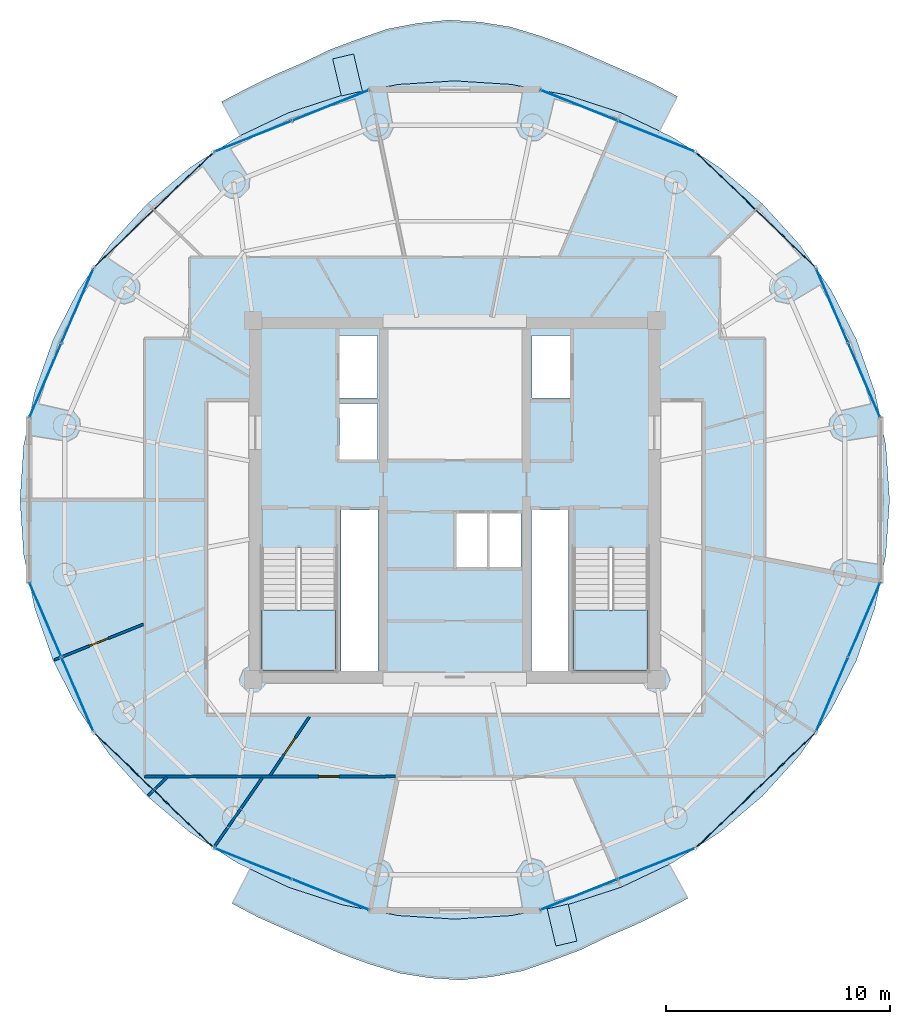
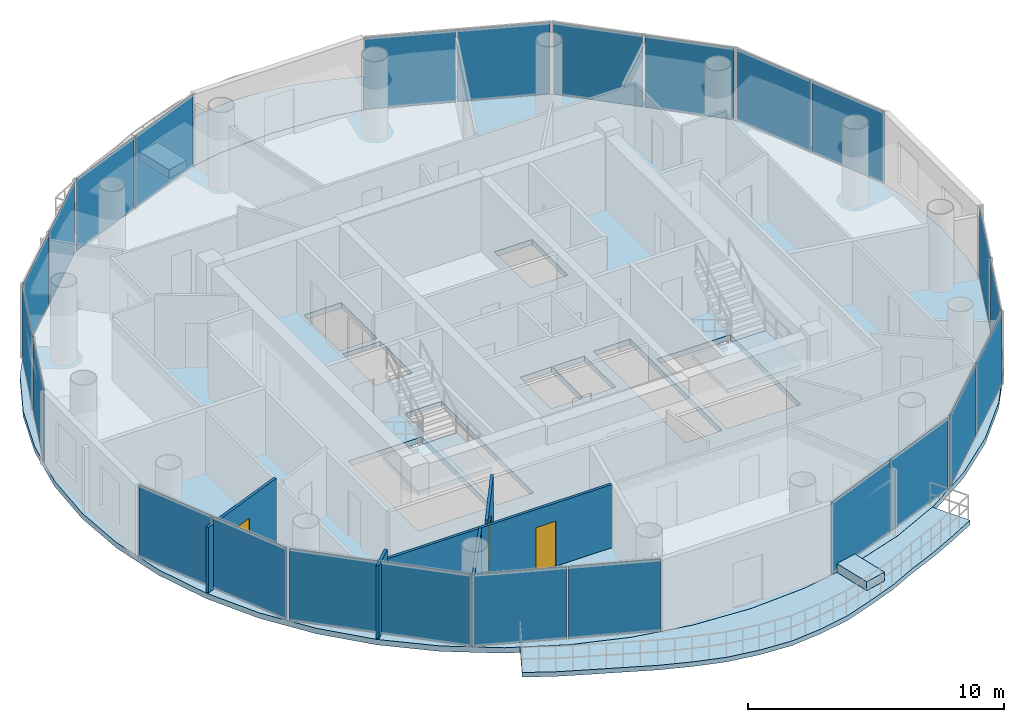
# One storey, part 16 of 23: 24 plates, 7 slabs, 5 walls, 3 doors, 3 openings, 14 elements without a shape of their own.
"""IFC4 building model written with IfcOpenShell, lengths in metres."""

from ifc_helpers import new_model, si_unit, direction, frame, frame_2d, origin, origin_2d, place, context, subcontext, project, spatial, polyline, rectangle, outline, extrude, source, transform, mapped, material, layer, layer_set, type_object, element, fill, aggregate, save


model = new_model("IFC4")

# Units and contexts
model_context = context("Model", 3, precision=1e-05, world=origin(), true_north=direction((-0.2419218956, 0.970295726276)))
body_context = subcontext(model_context, "Body", "Model", "MODEL_VIEW")
ifc_project = project(units=[si_unit("LENGTHUNIT", "METRE"), si_unit("AREAUNIT", "SQUARE_METRE"), si_unit("VOLUMEUNIT", "CUBIC_METRE"), si_unit("PLANEANGLEUNIT", "RADIAN"), si_unit("MASSUNIT", "GRAM", prefix="KILO")], contexts=[model_context])

# Site, building, storey
site_placement = place(None, origin())
site = spatial("IfcSite", under=ifc_project, at=site_placement, CompositionType="ELEMENT")
building_placement = place(site_placement, origin())
building = spatial("IfcBuilding", under=site, at=building_placement, Name="Cobrevalo Terracotta Tower", CompositionType="ELEMENT")
storey_placement = place(building_placement, frame((0.0, 0.0, 263.199951171875)))
storey = spatial("IfcBuildingStorey", under=building, at=storey_placement, Name="L69", CompositionType="ELEMENT", Elevation=263.199951171875)

# Stair, slab
ifc_material_1 = material(Name="Concrete C50", Category="concrete")
stair_type = type_object("IfcStairType", Name="Core protected escape dogleg stair 1600", PredefinedType="HALF_TURN_STAIR", material=ifc_material_1)
stair_1_placement = place(storey_placement, origin())
stair_1 = element("IfcStair", 1, at=stair_1_placement, inside=storey, type_object=stair_type, Name="L69 Protected exit stair ST-1", PredefinedType="HALF_TURN_STAIR")
ifc_layer_1 = layer(ifc_material_1, 0.199951171875)
ifc_layer_set_1 = layer_set([ifc_layer_1], Name="Concrete C50")
slab_type_1 = type_object("IfcSlabType", Name="Reinforced Concrete Stair Landing 200", PredefinedType="LANDING", material=ifc_layer_set_1)
slab_1_placement = place(storey_placement, frame((0.0, 0.0, 1.675048828125)))
slab_1 = element("IfcSlab", 2, at=slab_1_placement, type_object=slab_type_1, Name="ST-1 landing 1", PredefinedType="LANDING", context=body_context, shape_type="SweptSolid", body=[
    extrude(outline(polyline([(29.375, 21.89990234375), (29.375, 19.175048828125), (32.695068359375, 19.175048828125), (32.695068359375, 21.89990234375), (29.375, 21.89990234375)])), origin(), (0.0, 0.0, 1.0), 0.199951171875),
])
aggregate(stair_1, [slab_1])

stair_2_placement = place(storey_placement, origin())
stair_2 = element("IfcStair", 3, at=stair_2_placement, inside=storey, type_object=stair_type, Name="L69 Protected exit stair ST-2", PredefinedType="HALF_TURN_STAIR")
slab_2_placement = place(storey_placement, frame((0.0, 0.0, 1.675048828125)))
slab_2 = element("IfcSlab", 4, at=slab_2_placement, type_object=slab_type_1, Name="ST-2 landing 1", PredefinedType="LANDING", context=body_context, shape_type="SweptSolid", body=[
    extrude(outline(polyline([(43.304931640625, 21.89990234375), (43.304931640625, 19.175048828125), (46.625, 19.175048828125), (46.625, 21.89990234375), (43.304931640625, 21.89990234375)])), origin(), (0.0, 0.0, 1.0), 0.199951171875),
])
aggregate(stair_2, [slab_2])

# Slabs
ifc_material_2 = material(Name="Concrete C45", Category="concrete")
ifc_layer_2 = layer(ifc_material_2, 0.219970703125)
ifc_layer_set_2 = layer_set([ifc_layer_2], Name="Concrete C45")
slab_type_2 = type_object("IfcSlabType", Name="Spiralling cantilevered balcony lobe slab 220 mm", PredefinedType="FLOOR", material=ifc_layer_set_2)
slab_3_placement = place(storey_placement, frame((0.0, 0.0, -0.219970703125)))
element("IfcSlab", 5, at=slab_3_placement, inside=storey, type_object=slab_type_2, Name="L69 spiralling arc balcony slab lobe 1", PredefinedType="FLOOR", context=body_context, shape_type="SweptSolid", body=[
    extrude(outline(polyline([(47.936279296875, 44.805419921875), (46.766845703125, 45.423095703125), (45.556884765625, 45.96044921875), (44.330322265625, 46.494873046875), (43.088134765625, 47.0400390625), (41.798828125, 47.509765625), (40.473876953125, 47.91015625), (39.1064453125, 48.12939453125), (37.723876953125, 48.2177734375), (36.34375, 48.073486328125), (34.98583984375, 47.81494140625), (33.67626953125, 47.359375), (32.397705078125, 46.8798828125), (31.176513671875, 46.287353515625), (29.95166015625, 45.763916015625), (28.763427734375, 45.181396484375), (27.5927734375, 44.57080078125), (28.42236328125, 43.05517578125), (30.5751953125, 44.078369140625), (32.978271484375, 44.86474609375), (35.467529296875, 45.342041015625), (38.0, 45.501953125), (40.532470703125, 45.342041015625), (43.021728515625, 44.86474609375), (45.4248046875, 44.078369140625), (47.140625, 43.2626953125), (47.936279296875, 44.805419921875)])), origin(), (0.0, 0.0, 1.0), 0.219970703125),
])
slab_4_placement = place(storey_placement, frame((0.0, 0.0, -0.219970703125)))
element("IfcSlab", 6, at=slab_4_placement, inside=storey, type_object=slab_type_2, Name="L69 spiralling arc balcony slab lobe 2", PredefinedType="FLOOR", context=body_context, shape_type="SweptSolid", body=[
    extrude(outline(polyline([(28.063720703125, 8.794677734375), (29.233154296875, 8.177001953125), (30.443115234375, 7.6396484375), (31.669677734375, 7.10498046875), (32.911865234375, 6.56005859375), (34.201171875, 6.09033203125), (35.526123046875, 5.68994140625), (36.8935546875, 5.470458984375), (38.276123046875, 5.38232421875), (39.65625, 5.526611328125), (41.01416015625, 5.78515625), (42.32373046875, 6.24072265625), (43.602294921875, 6.72021484375), (44.823486328125, 7.312744140625), (46.04833984375, 7.836181640625), (47.236572265625, 8.418701171875), (48.4072265625, 9.029296875), (47.57763671875, 10.544921875), (45.4248046875, 9.521484375), (43.021728515625, 8.7353515625), (40.532470703125, 8.258056640625), (38.0, 8.097900390625), (35.467529296875, 8.258056640625), (32.978271484375, 8.7353515625), (30.5751953125, 9.521484375), (28.859375, 10.337158203125), (28.063720703125, 8.794677734375)])), origin(), (0.0, 0.0, 1.0), 0.219970703125),
])
ifc_material_3 = material(Name="Precast concrete C45", Category="concrete")
ifc_layer_3 = layer(ifc_material_3, 0.419921875)
ifc_layer_set_3 = layer_set([ifc_layer_3], Name="Precast concrete C45")
slab_type_3 = type_object("IfcSlabType", Name="Structural tree planter trough base 420 mm", PredefinedType="USERDEFINED", material=ifc_layer_set_3)
slab_5_placement = place(storey_placement, origin())
element("IfcSlab", 7, at=slab_5_placement, inside=storey, type_object=slab_type_3, Name="L69 structural tree planter trough 1", ObjectType="PLANTER", PredefinedType="USERDEFINED", context=body_context, shape_type="SweptSolid", body=[
    extrude(outline(polyline([(33.875244140625, 45.047607421875), (33.48583984375, 46.702392578125), (32.551513671875, 46.482666015625), (32.940673828125, 44.827880859375), (33.875244140625, 45.047607421875)])), origin(), (0.0, 0.0, 1.0), 0.420166015625),
])
slab_6_placement = place(storey_placement, origin())
element("IfcSlab", 8, at=slab_6_placement, inside=storey, type_object=slab_type_3, Name="L69 structural tree planter trough 2", ObjectType="PLANTER", PredefinedType="USERDEFINED", context=body_context, shape_type="SweptSolid", body=[
    extrude(outline(polyline([(42.124755859375, 8.55224609375), (42.51416015625, 6.8974609375), (43.448486328125, 7.1171875), (43.059326171875, 8.772216796875), (42.124755859375, 8.55224609375)])), origin(), (0.0, 0.0, 1.0), 0.420166015625),
])
ifc_layer_4 = layer(ifc_material_2, 0.260009765625)
ifc_layer_set_4 = layer_set([ifc_layer_4], Name="Concrete C45")
slab_type_4 = type_object("IfcSlabType", Name="Zone Z5 elliptical floor plate 260 mm", PredefinedType="FLOOR", material=ifc_layer_set_4)
slab_7_placement = place(storey_placement, frame((0.0, 0.0, -0.260009765625)))
element("IfcSlab", 9, at=slab_7_placement, inside=storey, type_object=slab_type_4, Name="L69 indoor elliptical floor slab", PredefinedType="FLOOR", context=body_context, shape_type="SweptSolid", body=[
    extrude(outline(polyline([(57.234130859375, 24.359130859375), (56.739013671875, 21.9599609375), (55.92333984375, 19.643798828125), (54.80078125, 17.449951171875), (53.39111328125, 15.416259765625), (51.7177734375, 13.5771484375), (49.81005859375, 11.96435546875), (47.699951171875, 10.605224609375), (45.424072265625, 9.5234375), (43.02099609375, 8.7373046875), (40.5322265625, 8.260009765625), (38.0, 8.10009765625), (35.4677734375, 8.260009765625), (32.97900390625, 8.7373046875), (30.575927734375, 9.5234375), (28.300048828125, 10.605224609375), (26.18994140625, 11.96435546875), (24.2822265625, 13.5771484375), (22.60888671875, 15.416259765625), (21.19921875, 17.449951171875), (20.07666015625, 19.643798828125), (19.260986328125, 21.9599609375), (18.765869140625, 24.359130859375), (18.60009765625, 26.800048828125), (18.765869140625, 29.24072265625), (19.260986328125, 31.639892578125), (20.07666015625, 33.956298828125), (21.19921875, 36.14990234375), (22.60888671875, 38.183837890625), (24.2822265625, 40.02294921875), (26.18994140625, 41.6357421875), (28.300048828125, 42.99462890625), (30.575927734375, 44.07666015625), (32.97900390625, 44.86279296875), (35.4677734375, 45.340087890625), (38.0, 45.5), (40.5322265625, 45.340087890625), (43.02099609375, 44.86279296875), (45.424072265625, 44.07666015625), (47.699951171875, 42.99462890625), (49.81005859375, 41.6357421875), (51.7177734375, 40.02294921875), (53.39111328125, 38.183837890625), (54.80078125, 36.14990234375), (55.92333984375, 33.956298828125), (56.739013671875, 31.639892578125), (57.234130859375, 29.24072265625), (57.39990234375, 26.800048828125), (57.234130859375, 24.359130859375)]), holes=[polyline([(32.695068359375, 19.175048828125), (32.695068359375, 24.659912109375), (29.375, 24.659912109375), (29.375, 19.175048828125), (32.695068359375, 19.175048828125)]), polyline([(46.625, 19.175048828125), (46.625, 24.659912109375), (43.304931640625, 24.659912109375), (43.304931640625, 19.175048828125), (46.625, 19.175048828125)]), polyline([(34.574951171875, 26.360107421875), (32.919921875, 26.360107421875), (32.919921875, 19.175048828125), (34.574951171875, 19.175048828125), (34.574951171875, 26.360107421875)]), polyline([(43.080078125, 26.360107421875), (41.425048828125, 26.360107421875), (41.425048828125, 19.175048828125), (43.080078125, 19.175048828125), (43.080078125, 26.360107421875)]), polyline([(39.469970703125, 26.25), (38.0400390625, 26.25), (38.0400390625, 23.800048828125), (39.469970703125, 23.800048828125), (39.469970703125, 26.25)]), polyline([(40.949951171875, 26.25), (39.52001953125, 26.25), (39.52001953125, 23.800048828125), (40.949951171875, 23.800048828125), (40.949951171875, 26.25)]), polyline([(34.550048828125, 31.10009765625), (32.85009765625, 31.10009765625), (32.85009765625, 28.60009765625), (34.550048828125, 28.60009765625), (34.550048828125, 31.10009765625)]), polyline([(34.550048828125, 31.35009765625), (34.550048828125, 34.14990234375), (32.85009765625, 34.14990234375), (32.85009765625, 31.35009765625), (34.550048828125, 31.35009765625)]), polyline([(43.14990234375, 31.35009765625), (43.14990234375, 34.14990234375), (41.449951171875, 34.14990234375), (41.449951171875, 31.35009765625), (43.14990234375, 31.35009765625)])]), origin(), (0.0, 0.0, 1.0), 0.260009765625),
])

# Curtain wall, plates
ifc_material_4 = material(Name="Anodized aluminium", Category="aluminium")
curtain_wall_type = type_object("IfcCurtainWallType", Name="Upper-tower triple-glazed penthouse curtain wall CW-U3", PredefinedType="NOTDEFINED", material=ifc_material_4)
curtain_wall_1_placement = place(storey_placement, origin())
curtain_wall_1 = element("IfcCurtainWall", 10, at=curtain_wall_1_placement, inside=storey, type_object=curtain_wall_type, Name="L69 curtain wall CW-L69-S02", PredefinedType="NOTDEFINED")
ifc_material_5 = material(Name="Solar-control low-E double glazing", Category="glass")
ifc_layer_5 = layer(ifc_material_5, 0.028076171875)
ifc_layer_set_5 = layer_set([ifc_layer_5], Name="Solar-control low-E double glazing")
plate_type = type_object("IfcPlateType", Name="Tower solar-control low-E vision glass panel 28 mm", PredefinedType="CURTAIN_PANEL", material=ifc_layer_set_5)
shared_shape_1 = source(origin(), body_context, "Body", "SweptSolid", [
    extrude(rectangle(XDim=3.59130859375, YDim=0.035888671875, at=origin_2d()), origin(), (0.0, 0.0, 1.0), 3.409912109375),
])
plate_1_placement = place(storey_placement, frame((52.755126953125, 38.47412109375, 0.0400390625), z_axis=(0.0, 0.0, 1.0), x_axis=(-0.719996603293, 0.693977586992, 0.0)))
plate_1 = element("IfcPlate", 11, at=plate_1_placement, type_object=plate_type, Name="CW-L69-S02 glazing panel B01", PredefinedType="CURTAIN_PANEL", context=body_context, shape_type="MappedRepresentation", body=[
    mapped(shared_shape_1, transform((0.0, 0.0, 0.0), scale=1.0)),
])
plate_2_placement = place(storey_placement, frame((50.11181640625, 41.02197265625, 0.0400390625), z_axis=(0.0, 0.0, 1.0), x_axis=(-0.719996603293, 0.693977586992, 0.0)))
plate_2 = element("IfcPlate", 12, at=plate_2_placement, type_object=plate_type, Name="CW-L69-S02 glazing panel B02", PredefinedType="CURTAIN_PANEL", context=body_context, shape_type="MappedRepresentation", body=[
    mapped(shared_shape_1, transform((0.0, 0.0, 0.0), scale=1.0)),
])
aggregate(curtain_wall_1, [plate_1, plate_2])

curtain_wall_2_placement = place(storey_placement, origin())
curtain_wall_2 = element("IfcCurtainWall", 13, at=curtain_wall_2_placement, inside=storey, type_object=curtain_wall_type, Name="L69 curtain wall CW-L69-S06", PredefinedType="NOTDEFINED")
plate_3_placement = place(storey_placement, frame((25.88818359375, 41.02197265625, 0.0400390625), z_axis=(0.0, 0.0, 1.0), x_axis=(-0.719996603293, -0.693977586992, 0.0)))
plate_3 = element("IfcPlate", 14, at=plate_3_placement, type_object=plate_type, Name="CW-L69-S06 glazing panel B01", PredefinedType="CURTAIN_PANEL", context=body_context, shape_type="MappedRepresentation", body=[
    mapped(shared_shape_1, transform((0.0, 0.0, 0.0), scale=1.0)),
])
plate_4_placement = place(storey_placement, frame((23.244873046875, 38.47412109375, 0.0400390625), z_axis=(0.0, 0.0, 1.0), x_axis=(-0.719996603293, -0.693977586992, 0.0)))
plate_4 = element("IfcPlate", 15, at=plate_4_placement, type_object=plate_type, Name="CW-L69-S06 glazing panel B02", PredefinedType="CURTAIN_PANEL", context=body_context, shape_type="MappedRepresentation", body=[
    mapped(shared_shape_1, transform((0.0, 0.0, 0.0), scale=1.0)),
])
aggregate(curtain_wall_2, [plate_3, plate_4])

curtain_wall_3_placement = place(storey_placement, origin())
curtain_wall_3 = element("IfcCurtainWall", 16, at=curtain_wall_3_placement, inside=storey, type_object=curtain_wall_type, Name="L69 curtain wall CW-L69-S10", PredefinedType="NOTDEFINED")
plate_5_placement = place(storey_placement, frame((23.244873046875, 15.1259765625, 0.0400390625), z_axis=(0.0, 0.0, 1.0), x_axis=(0.719996603293, -0.693977586992, 0.0)))
plate_5 = element("IfcPlate", 17, at=plate_5_placement, type_object=plate_type, Name="CW-L69-S10 glazing panel B01", PredefinedType="CURTAIN_PANEL", context=body_context, shape_type="MappedRepresentation", body=[
    mapped(shared_shape_1, transform((0.0, 0.0, 0.0), scale=1.0)),
])
plate_6_placement = place(storey_placement, frame((25.88818359375, 12.578125, 0.0400390625), z_axis=(0.0, 0.0, 1.0), x_axis=(0.719996603293, -0.693977586992, 0.0)))
plate_6 = element("IfcPlate", 18, at=plate_6_placement, type_object=plate_type, Name="CW-L69-S10 glazing panel B02", PredefinedType="CURTAIN_PANEL", context=body_context, shape_type="MappedRepresentation", body=[
    mapped(shared_shape_1, transform((0.0, 0.0, 0.0), scale=1.0)),
])
aggregate(curtain_wall_3, [plate_5, plate_6])

curtain_wall_4_placement = place(storey_placement, origin())
curtain_wall_4 = element("IfcCurtainWall", 19, at=curtain_wall_4_placement, inside=storey, type_object=curtain_wall_type, Name="L69 curtain wall CW-L69-S14", PredefinedType="NOTDEFINED")
plate_7_placement = place(storey_placement, frame((50.11181640625, 12.578125, 0.0400390625), z_axis=(0.0, 0.0, 1.0), x_axis=(0.719996603293, 0.693977586992, 0.0)))
plate_7 = element("IfcPlate", 20, at=plate_7_placement, type_object=plate_type, Name="CW-L69-S14 glazing panel B01", PredefinedType="CURTAIN_PANEL", context=body_context, shape_type="MappedRepresentation", body=[
    mapped(shared_shape_1, transform((0.0, 0.0, 0.0), scale=1.0)),
])
plate_8_placement = place(storey_placement, frame((52.755126953125, 15.1259765625, 0.0400390625), z_axis=(0.0, 0.0, 1.0), x_axis=(0.719996603293, 0.693977586992, 0.0)))
plate_8 = element("IfcPlate", 21, at=plate_8_placement, type_object=plate_type, Name="CW-L69-S14 glazing panel B02", PredefinedType="CURTAIN_PANEL", context=body_context, shape_type="MappedRepresentation", body=[
    mapped(shared_shape_1, transform((0.0, 0.0, 0.0), scale=1.0)),
])
aggregate(curtain_wall_4, [plate_7, plate_8])

curtain_wall_5_placement = place(storey_placement, origin())
curtain_wall_5 = element("IfcCurtainWall", 22, at=curtain_wall_5_placement, inside=storey, type_object=curtain_wall_type, Name="L69 curtain wall CW-L69-S03", PredefinedType="NOTDEFINED")
shared_shape_2 = source(origin(), body_context, "Body", "SweptSolid", [
    extrude(rectangle(XDim=3.63916015625, YDim=0.035888671875, at=origin_2d()), origin(), (0.0, 0.0, 1.0), 3.409912109375),
])
plate_9_placement = place(storey_placement, frame((46.997314453125, 43.02783203125, 0.0400390625), z_axis=(0.0, 0.0, 1.0), x_axis=(-0.92871833374, 0.370785998353, 0.0)))
plate_9 = element("IfcPlate", 23, at=plate_9_placement, type_object=plate_type, Name="CW-L69-S03 glazing panel B01", PredefinedType="CURTAIN_PANEL", context=body_context, shape_type="MappedRepresentation", body=[
    mapped(shared_shape_2, transform((0.0, 0.0, 0.0), scale=1.0)),
])
plate_10_placement = place(storey_placement, frame((43.543212890625, 44.406982421875, 0.0400390625), z_axis=(0.0, 0.0, 1.0), x_axis=(-0.92871833374, 0.370785998353, 0.0)))
plate_10 = element("IfcPlate", 24, at=plate_10_placement, type_object=plate_type, Name="CW-L69-S03 glazing panel B02", PredefinedType="CURTAIN_PANEL", context=body_context, shape_type="MappedRepresentation", body=[
    mapped(shared_shape_2, transform((0.0, 0.0, 0.0), scale=1.0)),
])
aggregate(curtain_wall_5, [plate_9, plate_10])

curtain_wall_6_placement = place(storey_placement, origin())
curtain_wall_6 = element("IfcCurtainWall", 25, at=curtain_wall_6_placement, inside=storey, type_object=curtain_wall_type, Name="L69 curtain wall CW-L69-S05", PredefinedType="NOTDEFINED")
plate_11_placement = place(storey_placement, frame((32.456787109375, 44.406982421875, 0.0400390625), z_axis=(0.0, 0.0, 1.0), x_axis=(-0.92871833374, -0.370785998353, 0.0)))
plate_11 = element("IfcPlate", 26, at=plate_11_placement, type_object=plate_type, Name="CW-L69-S05 glazing panel B01", PredefinedType="CURTAIN_PANEL", context=body_context, shape_type="MappedRepresentation", body=[
    mapped(shared_shape_2, transform((0.0, 0.0, 0.0), scale=1.0)),
])
plate_12_placement = place(storey_placement, frame((29.002685546875, 43.02783203125, 0.0400390625), z_axis=(0.0, 0.0, 1.0), x_axis=(-0.92871833374, -0.370785998353, 0.0)))
plate_12 = element("IfcPlate", 27, at=plate_12_placement, type_object=plate_type, Name="CW-L69-S05 glazing panel B02", PredefinedType="CURTAIN_PANEL", context=body_context, shape_type="MappedRepresentation", body=[
    mapped(shared_shape_2, transform((0.0, 0.0, 0.0), scale=1.0)),
])
aggregate(curtain_wall_6, [plate_11, plate_12])

curtain_wall_7_placement = place(storey_placement, origin())
curtain_wall_7 = element("IfcCurtainWall", 28, at=curtain_wall_7_placement, inside=storey, type_object=curtain_wall_type, Name="L69 curtain wall CW-L69-S11", PredefinedType="NOTDEFINED")
plate_13_placement = place(storey_placement, frame((29.002685546875, 10.572021484375, 0.0400390625), z_axis=(0.0, 0.0, 1.0), x_axis=(0.92871833374, -0.370785998353, 0.0)))
plate_13 = element("IfcPlate", 29, at=plate_13_placement, type_object=plate_type, Name="CW-L69-S11 glazing panel B01", PredefinedType="CURTAIN_PANEL", context=body_context, shape_type="MappedRepresentation", body=[
    mapped(shared_shape_2, transform((0.0, 0.0, 0.0), scale=1.0)),
])
plate_14_placement = place(storey_placement, frame((32.456787109375, 9.193115234375, 0.0400390625), z_axis=(0.0, 0.0, 1.0), x_axis=(0.92871833374, -0.370785998353, 0.0)))
plate_14 = element("IfcPlate", 30, at=plate_14_placement, type_object=plate_type, Name="CW-L69-S11 glazing panel B02", PredefinedType="CURTAIN_PANEL", context=body_context, shape_type="MappedRepresentation", body=[
    mapped(shared_shape_2, transform((0.0, 0.0, 0.0), scale=1.0)),
])
aggregate(curtain_wall_7, [plate_13, plate_14])

curtain_wall_8_placement = place(storey_placement, origin())
curtain_wall_8 = element("IfcCurtainWall", 31, at=curtain_wall_8_placement, inside=storey, type_object=curtain_wall_type, Name="L69 curtain wall CW-L69-S13", PredefinedType="NOTDEFINED")
plate_15_placement = place(storey_placement, frame((43.543212890625, 9.193115234375, 0.0400390625), z_axis=(0.0, 0.0, 1.0), x_axis=(0.92871833374, 0.370785998353, 0.0)))
plate_15 = element("IfcPlate", 32, at=plate_15_placement, type_object=plate_type, Name="CW-L69-S13 glazing panel B01", PredefinedType="CURTAIN_PANEL", context=body_context, shape_type="MappedRepresentation", body=[
    mapped(shared_shape_2, transform((0.0, 0.0, 0.0), scale=1.0)),
])
plate_16_placement = place(storey_placement, frame((46.997314453125, 10.572021484375, 0.0400390625), z_axis=(0.0, 0.0, 1.0), x_axis=(0.92871833374, 0.370785998353, 0.0)))
plate_16 = element("IfcPlate", 33, at=plate_16_placement, type_object=plate_type, Name="CW-L69-S13 glazing panel B02", PredefinedType="CURTAIN_PANEL", context=body_context, shape_type="MappedRepresentation", body=[
    mapped(shared_shape_2, transform((0.0, 0.0, 0.0), scale=1.0)),
])
aggregate(curtain_wall_8, [plate_15, plate_16])

curtain_wall_9_placement = place(storey_placement, origin())
curtain_wall_9 = element("IfcCurtainWall", 34, at=curtain_wall_9_placement, inside=storey, type_object=curtain_wall_type, Name="L69 curtain wall CW-L69-S01", PredefinedType="NOTDEFINED")
shared_shape_3 = source(origin(), body_context, "Body", "SweptSolid", [
    extrude(rectangle(XDim=3.542724609375, YDim=0.035888671875, at=origin_2d()), origin(), (0.0, 0.0, 1.0), 3.409912109375),
])
plate_17_placement = place(storey_placement, frame((56.266845703125, 32.143310546875, 0.0400390625), z_axis=(0.0, 0.0, 1.0), x_axis=(-0.394828845134, 0.918754691444, 0.0)))
plate_17 = element("IfcPlate", 35, at=plate_17_placement, type_object=plate_type, Name="CW-L69-S01 glazing panel B01", PredefinedType="CURTAIN_PANEL", context=body_context, shape_type="MappedRepresentation", body=[
    mapped(shared_shape_3, transform((0.0, 0.0, 0.0), scale=1.0)),
])
plate_18_placement = place(storey_placement, frame((54.83642578125, 35.4716796875, 0.0400390625), z_axis=(0.0, 0.0, 1.0), x_axis=(-0.394828845134, 0.918754691444, 0.0)))
plate_18 = element("IfcPlate", 36, at=plate_18_placement, type_object=plate_type, Name="CW-L69-S01 glazing panel B02", PredefinedType="CURTAIN_PANEL", context=body_context, shape_type="MappedRepresentation", body=[
    mapped(shared_shape_3, transform((0.0, 0.0, 0.0), scale=1.0)),
])
aggregate(curtain_wall_9, [plate_17, plate_18])

curtain_wall_10_placement = place(storey_placement, origin())
curtain_wall_10 = element("IfcCurtainWall", 37, at=curtain_wall_10_placement, inside=storey, type_object=curtain_wall_type, Name="L69 curtain wall CW-L69-S07", PredefinedType="NOTDEFINED")
plate_19_placement = place(storey_placement, frame((21.16357421875, 35.4716796875, 0.0400390625), z_axis=(0.0, 0.0, 1.0), x_axis=(-0.394828845134, -0.918754691444, 0.0)))
plate_19 = element("IfcPlate", 38, at=plate_19_placement, type_object=plate_type, Name="CW-L69-S07 glazing panel B01", PredefinedType="CURTAIN_PANEL", context=body_context, shape_type="MappedRepresentation", body=[
    mapped(shared_shape_3, transform((0.0, 0.0, 0.0), scale=1.0)),
])
plate_20_placement = place(storey_placement, frame((19.733154296875, 32.143310546875, 0.0400390625), z_axis=(0.0, 0.0, 1.0), x_axis=(-0.394828845134, -0.918754691444, 0.0)))
plate_20 = element("IfcPlate", 39, at=plate_20_placement, type_object=plate_type, Name="CW-L69-S07 glazing panel B02", PredefinedType="CURTAIN_PANEL", context=body_context, shape_type="MappedRepresentation", body=[
    mapped(shared_shape_3, transform((0.0, 0.0, 0.0), scale=1.0)),
])
aggregate(curtain_wall_10, [plate_19, plate_20])

curtain_wall_11_placement = place(storey_placement, origin())
curtain_wall_11 = element("IfcCurtainWall", 40, at=curtain_wall_11_placement, inside=storey, type_object=curtain_wall_type, Name="L69 curtain wall CW-L69-S09", PredefinedType="NOTDEFINED")
plate_21_placement = place(storey_placement, frame((19.733154296875, 21.456787109375, 0.0400390625), z_axis=(0.0, 0.0, 1.0), x_axis=(0.394828845134, -0.918754691444, 0.0)))
plate_21 = element("IfcPlate", 41, at=plate_21_placement, type_object=plate_type, Name="CW-L69-S09 glazing panel B01", PredefinedType="CURTAIN_PANEL", context=body_context, shape_type="MappedRepresentation", body=[
    mapped(shared_shape_3, transform((0.0, 0.0, 0.0), scale=1.0)),
])
plate_22_placement = place(storey_placement, frame((21.16357421875, 18.12841796875, 0.0400390625), z_axis=(0.0, 0.0, 1.0), x_axis=(0.394828845134, -0.918754691444, 0.0)))
plate_22 = element("IfcPlate", 42, at=plate_22_placement, type_object=plate_type, Name="CW-L69-S09 glazing panel B02", PredefinedType="CURTAIN_PANEL", context=body_context, shape_type="MappedRepresentation", body=[
    mapped(shared_shape_3, transform((0.0, 0.0, 0.0), scale=1.0)),
])
aggregate(curtain_wall_11, [plate_21, plate_22])

curtain_wall_12_placement = place(storey_placement, origin())
curtain_wall_12 = element("IfcCurtainWall", 43, at=curtain_wall_12_placement, inside=storey, type_object=curtain_wall_type, Name="L69 curtain wall CW-L69-S15", PredefinedType="NOTDEFINED")
plate_23_placement = place(storey_placement, frame((54.83642578125, 18.12841796875, 0.0400390625), z_axis=(0.0, 0.0, 1.0), x_axis=(0.394828845134, 0.918754691444, 0.0)))
plate_23 = element("IfcPlate", 44, at=plate_23_placement, type_object=plate_type, Name="CW-L69-S15 glazing panel B01", PredefinedType="CURTAIN_PANEL", context=body_context, shape_type="MappedRepresentation", body=[
    mapped(shared_shape_3, transform((0.0, 0.0, 0.0), scale=1.0)),
])
plate_24_placement = place(storey_placement, frame((56.266845703125, 21.456787109375, 0.0400390625), z_axis=(0.0, 0.0, 1.0), x_axis=(0.394828845134, 0.918754691444, 0.0)))
plate_24 = element("IfcPlate", 45, at=plate_24_placement, type_object=plate_type, Name="CW-L69-S15 glazing panel B02", PredefinedType="CURTAIN_PANEL", context=body_context, shape_type="MappedRepresentation", body=[
    mapped(shared_shape_3, transform((0.0, 0.0, 0.0), scale=1.0)),
])
aggregate(curtain_wall_12, [plate_23, plate_24])

# Wall, opening, door
ifc_material_6 = material(Name="Gypsum board on steel stud", Category="steel")
ifc_layer_6 = layer(ifc_material_6, 0.1201171875)
ifc_layer_set_6 = layer_set([ifc_layer_6], Name="Gypsum board on steel stud")
wall_type = type_object("IfcWallType", Name="Residential internal acoustic stud partition 120 mm", PredefinedType="PARTITIONING", material=ifc_layer_set_6)
wall_1_placement = place(storey_placement, frame((35.3525390625, 14.465087890625, 0.0), z_axis=(0.0, 0.0, 1.0), x_axis=(-1.0, 0.0, 0.0)))
wall_1 = element("IfcWall", 46, at=wall_1_placement, inside=storey, type_object=wall_type, Name="L69 interior partition IW-L69-U2-RING0_0", PredefinedType="PARTITIONING", context=body_context, shape_type="SweptSolid", body=[
    extrude(rectangle(XDim=11.1875, YDim=0.1201171875, at=frame_2d((5.59375, 0.0))), origin(), (0.0, 0.0, 1.0), 3.01513671875),
])
opening_1_placement = place(wall_1_placement, frame((2.522216796875, 0.0, 0.0)))
opening_1 = element("IfcOpeningElement", 47, at=opening_1_placement, cuts=wall_1, Name="Opening ID-12", PredefinedType="OPENING", context=body_context, shape_type="SweptSolid", body=[
    extrude(rectangle(XDim=0.89990234375, YDim=2.14990234375, at=frame_2d((0.449951171875, 1.074951171875))), frame((0.0, 0.070068359375, 0.0), z_axis=(0.0, -1.0, 0.0), x_axis=(1.0, 0.0, 0.0)), (0.0, 0.0, 1.0), 0.14013671875),
])
ifc_material_7 = material(Name="Engineered timber", Category="wood")
door_type = type_object("IfcDoorType", Name="Internal residence & suite timber door 900x2150", OperationType="NOTDEFINED", PredefinedType="DOOR", material=ifc_material_7)
shared_shape_4 = source(origin(), body_context, "Body", "SweptSolid", [
    extrude(rectangle(XDim=0.89990234375, YDim=2.14990234375, at=frame_2d((0.449951171875, 1.074951171875))), frame((0.0, 0.02490234375, 0.0), z_axis=(0.0, -1.0, 0.0), x_axis=(1.0, 0.0, 0.0)), (0.0, 0.0, 1.0), 0.050048828125),
])
door_1_placement = place(opening_1_placement, origin())
door_1 = element("IfcDoor", 48, at=door_1_placement, inside=storey, type_object=door_type, Name="Flat L69B Principal Guest Bedroom internal door", OperationType="SINGLE_SWING_LEFT", OverallHeight=2.14990234375, OverallWidth=0.89990234375, PredefinedType="DOOR", context=body_context, shape_type="MappedRepresentation", body=[
    mapped(shared_shape_4, transform((0.0, 0.0, 0.0), scale=1.0)),
])
fill(opening_1, door_1)

wall_2_placement = place(storey_placement, frame((24.107421875, 21.253173828125, 0.0), z_axis=(0.0, 0.0, 1.0), x_axis=(-0.928712556691, -0.370800467966, 0.0)))
wall_2 = element("IfcWall", 49, at=wall_2_placement, inside=storey, type_object=wall_type, Name="L69 interior partition IW-L69-U2-ORAD1", PredefinedType="PARTITIONING", context=body_context, shape_type="SweptSolid", body=[
    extrude(rectangle(XDim=4.27978515625, YDim=0.1201171875, at=frame_2d((2.139892578125, 0.0))), origin(), (0.0, 0.0, 1.0), 3.12109375),
])
opening_2_placement = place(wall_2_placement, frame((1.68994140625, 0.0, 0.0)))
opening_2 = element("IfcOpeningElement", 50, at=opening_2_placement, cuts=wall_2, Name="Opening ID-12", PredefinedType="OPENING", context=body_context, shape_type="SweptSolid", body=[
    extrude(rectangle(XDim=0.89990234375, YDim=2.14990234375, at=frame_2d((0.449951171875, 1.074951171875))), frame((0.0, 0.070068359375, 0.0), z_axis=(0.0, -1.0, 0.0), x_axis=(1.0, 0.0, 0.0)), (0.0, 0.0, 1.0), 0.14013671875),
])
door_2_placement = place(opening_2_placement, frame((0.89990234375, 0.0, 0.0), z_axis=(0.0, 0.0, 1.0), x_axis=(-1.0, 0.0, 0.0)))
door_2 = element("IfcDoor", 51, at=door_2_placement, inside=storey, type_object=door_type, Name="Flat L69B Living and Dining Room internal door", OperationType="SINGLE_SWING_RIGHT", OverallHeight=2.14990234375, OverallWidth=0.89990234375, PredefinedType="DOOR", context=body_context, shape_type="MappedRepresentation", body=[
    mapped(shared_shape_4, transform((0.0, 0.0, 0.0), scale=1.0)),
])
fill(opening_2, door_2)

# Walls
wall_3_placement = place(storey_placement, frame((25.15869140625, 14.421875, 0.0), z_axis=(0.0, 0.0, 1.0), x_axis=(-0.720070222664, -0.693901199331, 0.0)))
element("IfcWall", 52, at=wall_3_placement, inside=storey, type_object=wall_type, Name="L69 interior partition IW-L69-U2-ORAD2", PredefinedType="PARTITIONING", context=body_context, shape_type="SweptSolid", body=[
    extrude(rectangle(XDim=1.15673828125, YDim=0.1201171875, at=frame_2d((0.578369140625, 0.0))), origin(), (0.0, 0.0, 1.0), 3.489990234375),
])
wall_4_placement = place(storey_placement, frame((29.4140625, 14.4140625, 0.0), z_axis=(0.0, 0.0, 1.0), x_axis=(-0.569657021681, -0.821882520589, 0.0)))
element("IfcWall", 53, at=wall_4_placement, inside=storey, type_object=wall_type, Name="L69 interior partition IW-L69-U2-ORAD3", PredefinedType="PARTITIONING", context=body_context, shape_type="SweptSolid", body=[
    extrude(rectangle(XDim=3.747802734375, YDim=0.1201171875, at=frame_2d((1.8740234375, 0.0))), origin(), (0.0, 0.0, 1.0), 3.01513671875),
])

# Wall, opening, door
wall_5_placement = place(storey_placement, frame((31.50537109375, 17.114990234375, 0.0), z_axis=(0.0, 0.0, 1.0), x_axis=(-0.557003057019, -0.83051044212, 0.0)))
wall_5 = element("IfcWall", 54, at=wall_5_placement, inside=storey, type_object=wall_type, Name="L69 interior partition IW-L69-U2-IRAD2", PredefinedType="PARTITIONING", context=body_context, shape_type="SweptSolid", body=[
    extrude(rectangle(XDim=3.128662109375, YDim=0.1201171875, at=frame_2d((1.564453125, 0.0))), origin(), (0.0, 0.0, 1.0), 3.208984375),
])
opening_3_placement = place(wall_5_placement, frame((1.1142578125, 0.0, 0.0)))
opening_3 = element("IfcOpeningElement", 55, at=opening_3_placement, cuts=wall_5, Name="Opening ID-12", PredefinedType="OPENING", context=body_context, shape_type="SweptSolid", body=[
    extrude(rectangle(XDim=0.89990234375, YDim=2.14990234375, at=frame_2d((0.449951171875, 1.074951171875))), frame((0.0, 0.070068359375, 0.0), z_axis=(0.0, -1.0, 0.0), x_axis=(1.0, 0.0, 0.0)), (0.0, 0.0, 1.0), 0.14013671875),
])
door_3_placement = place(opening_3_placement, origin())
door_3 = element("IfcDoor", 56, at=door_3_placement, inside=storey, type_object=door_type, Name="Flat L69B Kitchen internal door", OperationType="SINGLE_SWING_LEFT", OverallHeight=2.14990234375, OverallWidth=0.89990234375, PredefinedType="DOOR", context=body_context, shape_type="MappedRepresentation", body=[
    mapped(shared_shape_4, transform((0.0, 0.0, 0.0), scale=1.0)),
])
fill(opening_3, door_3)

save(model, "model.ifc")
